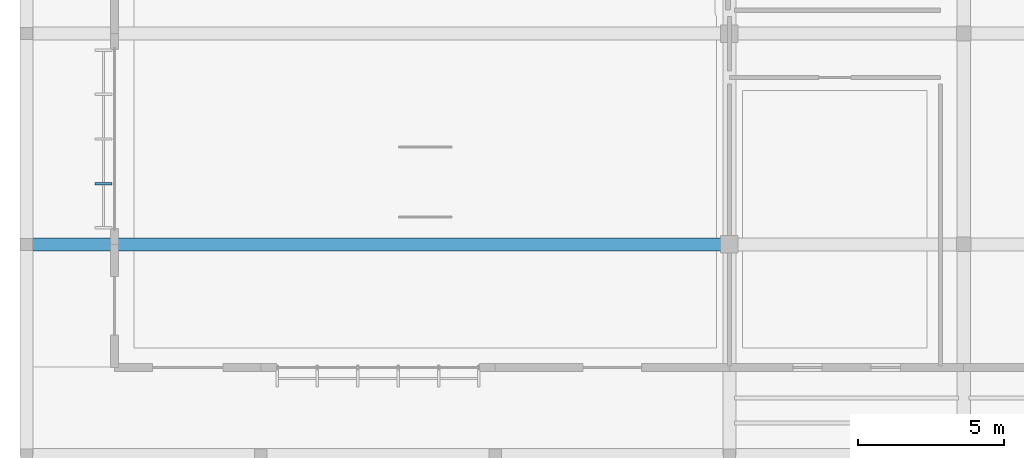
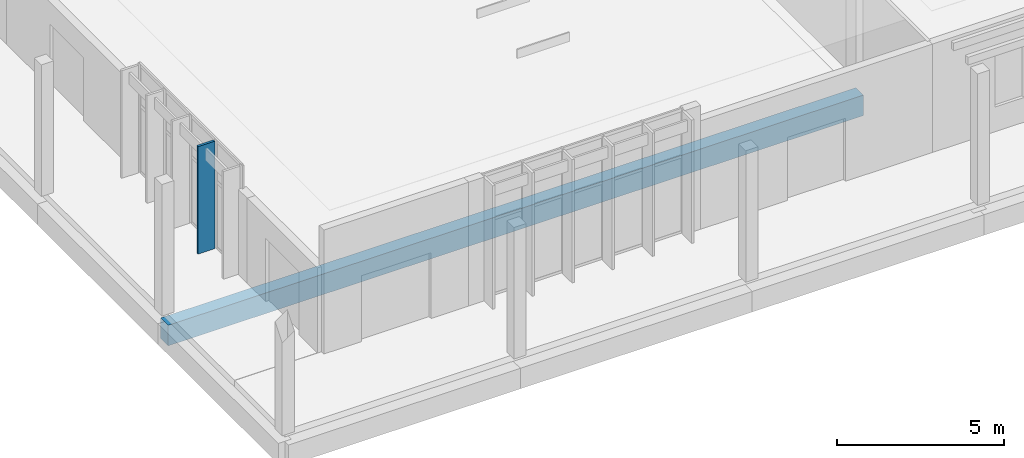
# One storey, part 16 of 151: 1 beam, 1 member, 1 element without a shape of its own.
"""IFC4 building model written with IfcOpenShell, lengths in metres."""

from ifc_helpers import new_model, si_unit, direction, frame, origin, origin_2d, place, context, subcontext, project, spatial, rectangle, extrude, material, material_profile, profile_set, type_object, element, aggregate, save


model = new_model("IFC4")

# Units and contexts
model_context = context("Model", 3, precision=1e-05, world=origin(), true_north=direction((0.0, 1.0)))
body_context = subcontext(model_context, "Body", "Model", "MODEL_VIEW")
ifc_project = project(units=[si_unit("LENGTHUNIT", "METRE"), si_unit("AREAUNIT", "SQUARE_METRE"), si_unit("VOLUMEUNIT", "CUBIC_METRE"), si_unit("PLANEANGLEUNIT", "RADIAN"), si_unit("MASSUNIT", "GRAM", prefix="KILO")], contexts=[model_context])

# Site, building, storey
site_placement = place(None, origin())
site = spatial("IfcSite", under=ifc_project, at=site_placement, CompositionType="ELEMENT")
building_placement = place(site_placement, origin())
building = spatial("IfcBuilding", under=site, at=building_placement, Name="Chiffa Square Polytechnic", CompositionType="ELEMENT")
storey_placement = place(building_placement, origin())
storey = spatial("IfcBuildingStorey", under=building, at=storey_placement, Name="L00", CompositionType="ELEMENT", Elevation=0.0)

# Curtain wall, member
ifc_material_1 = material(Name="Aluminium EN AW-6060 T66 and glulam shading", Category="wood")
curtain_wall_type = type_object("IfcCurtainWallType", Name="CW-VERT-450X440", PredefinedType="USERDEFINED", material=ifc_material_1)
curtain_wall_placement = place(storey_placement, origin())
curtain_wall = element("IfcCurtainWall", 1, at=curtain_wall_placement, inside=storey, type_object=curtain_wall_type, Name="Curtain wall CW-V3-L00-152", ObjectType="CURTAIN WALL", PredefinedType="USERDEFINED")
ifc_material_2 = material(Name="Glulam GL28h", Category="wood")
ifc_material_profile_1 = material_profile(ifc_material_2, rectangle(XDim=0.080078125, YDim=0.580078125, at=origin_2d()), Name="GL28h 80x580")
ifc_profile_set_1 = profile_set([ifc_material_profile_1], Name="Glulam GL28h")
member_type = type_object("IfcMemberType", Name="CWM-GL-80X580", PredefinedType="MULLION", material=ifc_profile_set_1)
member_placement = place(storey_placement, frame((2.6279296875, 9.27001953125, 0.010009765625), z_axis=(0.0, 0.0, 1.0), x_axis=(0.0, -1.0, 0.0)))
member = element("IfcMember", 2, at=member_placement, type_object=member_type, Name="Exterior glulam solar fin CW-V3-L00-152-FN03", PredefinedType="MULLION", context=body_context, shape_type="SweptSolid", body=[
    extrude(rectangle(XDim=0.080078125, YDim=0.580078125, at=origin_2d()), origin(), (0.0, 0.0, 1.0), 3.925048828125),
])
aggregate(curtain_wall, [member])

# Beam
ifc_material_3 = material(Name="Concrete C35/45", Category="concrete")
ifc_material_profile_2 = material_profile(ifc_material_3, rectangle(XDim=0.449951171875, YDim=0.75, at=origin_2d()), Name="RC 450x750")
ifc_profile_set_2 = profile_set([ifc_material_profile_2], Name="Concrete C35/45")
beam_type = type_object("IfcBeamType", Name="GB-RC-450X750", PredefinedType="BEAM", material=ifc_profile_set_2)
beam_placement = place(storey_placement, frame((0.0, 7.199951171875, -0.77490234375), z_axis=(1.0, 0.0, 0.0), x_axis=(0.0, 1.0, 0.0)))
element("IfcBeam", 3, at=beam_placement, inside=storey, type_object=beam_type, Name="Ground tie beam GB-V3-X-050", PredefinedType="BEAM", context=body_context, shape_type="SweptSolid", body=[
    extrude(rectangle(XDim=0.449951171875, YDim=0.75, at=origin_2d()), origin(), (0.0, 0.0, 1.0), 24.0),
])

save(model, "model.ifc")
